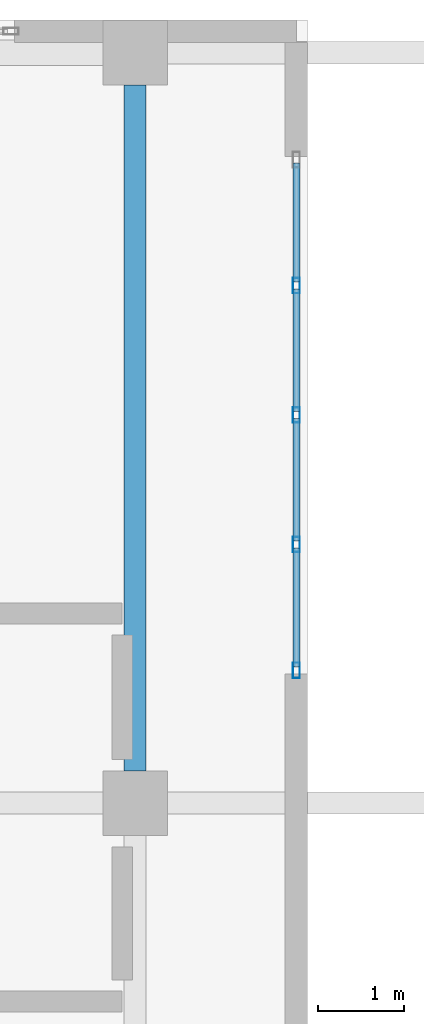
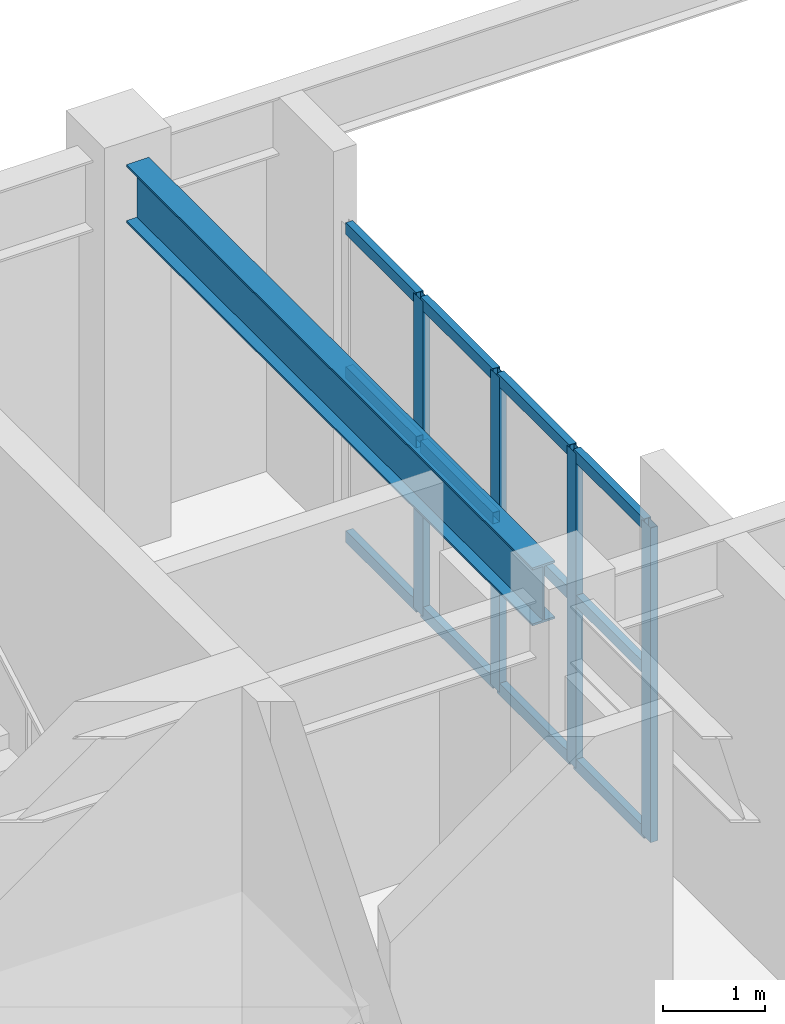
# One storey, part 4 of 11: 16 members, 1 beam, 1 element without a shape of its own.
"""IFC4 building model written with IfcOpenShell, lengths in metres."""

from ifc_helpers import new_model, si_unit, direction, frame, origin, origin_2d, place, context, subcontext, project, spatial, hollow_rectangle, i_section, extrude, material, layer, layer_set, material_profile, profile_set, type_object, element, aggregate, save


model = new_model("IFC4")

# Units and contexts
model_context = context("Model", 3, precision=1e-05, world=origin(), true_north=direction((0.0, 1.0)))
body_context = subcontext(model_context, "Body", "Model", "MODEL_VIEW")
ifc_project = project(units=[si_unit("LENGTHUNIT", "METRE"), si_unit("AREAUNIT", "SQUARE_METRE"), si_unit("VOLUMEUNIT", "CUBIC_METRE"), si_unit("PLANEANGLEUNIT", "RADIAN"), si_unit("MASSUNIT", "GRAM", prefix="KILO")], contexts=[model_context])

# Site, building, storey
site_placement = place(None, origin())
site = spatial("IfcSite", under=ifc_project, at=site_placement, CompositionType="ELEMENT")
building_placement = place(site_placement, origin())
building = spatial("IfcBuilding", under=site, at=building_placement, Name="Solanera Arch Residences", CompositionType="ELEMENT")
storey_placement = place(building_placement, frame((0.0, 0.0, 282.97998046875)))
storey = spatial("IfcBuildingStorey", under=building, at=storey_placement, Name="L81", CompositionType="ELEMENT", Elevation=282.97998046875)

# Curtain wall, members
ifc_material_1 = material(Name="Anodised Aluminium Alloy 6063-T6", Category="aluminium")
ifc_layer = layer(ifc_material_1, 0.179931640625)
ifc_layer_set = layer_set([ifc_layer], Name="Anodised Aluminium Alloy 6063-T6")
curtain_wall_type = type_object("IfcCurtainWallType", Name="CW-6 Split-Top Crown Lantern Curtain Wall", PredefinedType="USERDEFINED", material=ifc_layer_set)
curtain_wall_placement = place(storey_placement, origin())
curtain_wall = element("IfcCurtainWall", 1, at=curtain_wall_placement, inside=storey, type_object=curtain_wall_type, Name="L81 W Crown Cleft Lantern Curtain Wall", ObjectType="CURTAIN_WALL", PredefinedType="USERDEFINED")
ifc_material_2 = material(Name="Anodised Aluminium Alloy 6063-T6", Category="aluminium")
ifc_material_profile_1 = material_profile(ifc_material_2, hollow_rectangle(XDim=0.080078125, YDim=0.179931640625, WallThickness=0.00390625, at=origin_2d()))
ifc_profile_set_1 = profile_set([ifc_material_profile_1], Name="Anodised Aluminium Alloy 6063-T6")
member_type_1 = type_object("IfcMemberType", Name="Curtain Wall Mullion ALU-MUL-80X180", PredefinedType="MULLION", material=ifc_profile_set_1)
member_1_placement = place(storey_placement, frame((22.669921875, 32.239990234375, 0.0), z_axis=(0.0, 0.0, 1.0), x_axis=(-1.0, 0.0, 0.0)))
member_1 = element("IfcMember", 2, at=member_1_placement, type_object=member_type_1, Name="CW-6 mullion 1", PredefinedType="MULLION", context=body_context, shape_type="SweptSolid", body=[
    extrude(hollow_rectangle(XDim=0.080078125, YDim=0.179931640625, WallThickness=0.00390625, at=origin_2d()), origin(), (0.0, 0.0, 1.0), 3.760009765625),
])
member_2_placement = place(storey_placement, frame((22.669921875, 33.699951171875, 0.0), z_axis=(0.0, 0.0, 1.0), x_axis=(-1.0, 0.0, 0.0)))
member_2 = element("IfcMember", 3, at=member_2_placement, type_object=member_type_1, Name="CW-6 mullion 2", PredefinedType="MULLION", context=body_context, shape_type="SweptSolid", body=[
    extrude(hollow_rectangle(XDim=0.080078125, YDim=0.179931640625, WallThickness=0.00390625, at=origin_2d()), origin(), (0.0, 0.0, 1.0), 3.760009765625),
])
member_3_placement = place(storey_placement, frame((22.669921875, 35.199951171875, 0.0), z_axis=(0.0, 0.0, 1.0), x_axis=(-1.0, 0.0, 0.0)))
member_3 = element("IfcMember", 4, at=member_3_placement, type_object=member_type_1, Name="CW-6 mullion 3", PredefinedType="MULLION", context=body_context, shape_type="SweptSolid", body=[
    extrude(hollow_rectangle(XDim=0.080078125, YDim=0.179931640625, WallThickness=0.00390625, at=origin_2d()), origin(), (0.0, 0.0, 1.0), 3.760009765625),
])
member_4_placement = place(storey_placement, frame((22.669921875, 36.699951171875, 0.0), z_axis=(0.0, 0.0, 1.0), x_axis=(-1.0, 0.0, 0.0)))
member_4 = element("IfcMember", 5, at=member_4_placement, type_object=member_type_1, Name="CW-6 mullion 4", PredefinedType="MULLION", context=body_context, shape_type="SweptSolid", body=[
    extrude(hollow_rectangle(XDim=0.080078125, YDim=0.179931640625, WallThickness=0.00390625, at=origin_2d()), origin(), (0.0, 0.0, 1.0), 3.760009765625),
])
ifc_material_3 = material(Name="Anodised Aluminium Alloy 6063-T6", Category="aluminium")
ifc_material_profile_2 = material_profile(ifc_material_3, hollow_rectangle(XDim=0.080078125, YDim=0.139892578125, WallThickness=0.00390625, at=origin_2d()))
ifc_profile_set_2 = profile_set([ifc_material_profile_2], Name="Anodised Aluminium Alloy 6063-T6")
member_type_2 = type_object("IfcMemberType", Name="Curtain Wall Transom ALU-TRN-80X140", PredefinedType="USERDEFINED", material=ifc_profile_set_2)
member_5_placement = place(storey_placement, frame((22.669921875, 32.280029296875, 0.0400390625), z_axis=(0.0, 1.0, 0.0), x_axis=(-1.0, 0.0, 0.0)))
member_5 = element("IfcMember", 6, at=member_5_placement, type_object=member_type_2, Name="CW-6 transom 1.1", ObjectType="TRANSOM", PredefinedType="USERDEFINED", context=body_context, shape_type="SweptSolid", body=[
    extrude(hollow_rectangle(XDim=0.080078125, YDim=0.139892578125, WallThickness=0.00390625, at=origin_2d()), origin(), (0.0, 0.0, 1.0), 1.3798828125),
])
member_6_placement = place(storey_placement, frame((22.669921875, 32.280029296875, 2.0), z_axis=(0.0, 1.0, 0.0), x_axis=(-1.0, 0.0, 0.0)))
member_6 = element("IfcMember", 7, at=member_6_placement, type_object=member_type_2, Name="CW-6 transom 1.2", ObjectType="TRANSOM", PredefinedType="USERDEFINED", context=body_context, shape_type="SweptSolid", body=[
    extrude(hollow_rectangle(XDim=0.080078125, YDim=0.139892578125, WallThickness=0.00390625, at=origin_2d()), origin(), (0.0, 0.0, 1.0), 1.3798828125),
])
member_7_placement = place(storey_placement, frame((22.669921875, 32.280029296875, 3.719970703125), z_axis=(0.0, 1.0, 0.0), x_axis=(-1.0, 0.0, 0.0)))
member_7 = element("IfcMember", 8, at=member_7_placement, type_object=member_type_2, Name="CW-6 transom 1.3", ObjectType="TRANSOM", PredefinedType="USERDEFINED", context=body_context, shape_type="SweptSolid", body=[
    extrude(hollow_rectangle(XDim=0.080078125, YDim=0.139892578125, WallThickness=0.00390625, at=origin_2d()), origin(), (0.0, 0.0, 1.0), 1.3798828125),
])
member_8_placement = place(storey_placement, frame((22.669921875, 33.739990234375, 0.0400390625), z_axis=(0.0, 1.0, 0.0), x_axis=(-1.0, 0.0, 0.0)))
member_8 = element("IfcMember", 9, at=member_8_placement, type_object=member_type_2, Name="CW-6 transom 2.1", ObjectType="TRANSOM", PredefinedType="USERDEFINED", context=body_context, shape_type="SweptSolid", body=[
    extrude(hollow_rectangle(XDim=0.080078125, YDim=0.139892578125, WallThickness=0.00390625, at=origin_2d()), origin(), (0.0, 0.0, 1.0), 1.419921875),
])
member_9_placement = place(storey_placement, frame((22.669921875, 33.739990234375, 2.0), z_axis=(0.0, 1.0, 0.0), x_axis=(-1.0, 0.0, 0.0)))
member_9 = element("IfcMember", 10, at=member_9_placement, type_object=member_type_2, Name="CW-6 transom 2.2", ObjectType="TRANSOM", PredefinedType="USERDEFINED", context=body_context, shape_type="SweptSolid", body=[
    extrude(hollow_rectangle(XDim=0.080078125, YDim=0.139892578125, WallThickness=0.00390625, at=origin_2d()), origin(), (0.0, 0.0, 1.0), 1.419921875),
])
member_10_placement = place(storey_placement, frame((22.669921875, 33.739990234375, 3.719970703125), z_axis=(0.0, 1.0, 0.0), x_axis=(-1.0, 0.0, 0.0)))
member_10 = element("IfcMember", 11, at=member_10_placement, type_object=member_type_2, Name="CW-6 transom 2.3", ObjectType="TRANSOM", PredefinedType="USERDEFINED", context=body_context, shape_type="SweptSolid", body=[
    extrude(hollow_rectangle(XDim=0.080078125, YDim=0.139892578125, WallThickness=0.00390625, at=origin_2d()), origin(), (0.0, 0.0, 1.0), 1.419921875),
])
member_11_placement = place(storey_placement, frame((22.669921875, 35.239990234375, 0.0400390625), z_axis=(0.0, 1.0, 0.0), x_axis=(-1.0, 0.0, 0.0)))
member_11 = element("IfcMember", 12, at=member_11_placement, type_object=member_type_2, Name="CW-6 transom 3.1", ObjectType="TRANSOM", PredefinedType="USERDEFINED", context=body_context, shape_type="SweptSolid", body=[
    extrude(hollow_rectangle(XDim=0.080078125, YDim=0.139892578125, WallThickness=0.00390625, at=origin_2d()), origin(), (0.0, 0.0, 1.0), 1.419921875),
])
member_12_placement = place(storey_placement, frame((22.669921875, 35.239990234375, 2.0), z_axis=(0.0, 1.0, 0.0), x_axis=(-1.0, 0.0, 0.0)))
member_12 = element("IfcMember", 13, at=member_12_placement, type_object=member_type_2, Name="CW-6 transom 3.2", ObjectType="TRANSOM", PredefinedType="USERDEFINED", context=body_context, shape_type="SweptSolid", body=[
    extrude(hollow_rectangle(XDim=0.080078125, YDim=0.139892578125, WallThickness=0.00390625, at=origin_2d()), origin(), (0.0, 0.0, 1.0), 1.419921875),
])
member_13_placement = place(storey_placement, frame((22.669921875, 35.239990234375, 3.719970703125), z_axis=(0.0, 1.0, 0.0), x_axis=(-1.0, 0.0, 0.0)))
member_13 = element("IfcMember", 14, at=member_13_placement, type_object=member_type_2, Name="CW-6 transom 3.3", ObjectType="TRANSOM", PredefinedType="USERDEFINED", context=body_context, shape_type="SweptSolid", body=[
    extrude(hollow_rectangle(XDim=0.080078125, YDim=0.139892578125, WallThickness=0.00390625, at=origin_2d()), origin(), (0.0, 0.0, 1.0), 1.419921875),
])
member_14_placement = place(storey_placement, frame((22.669921875, 36.739990234375, 0.0400390625), z_axis=(0.0, 1.0, 0.0), x_axis=(-1.0, 0.0, 0.0)))
member_14 = element("IfcMember", 15, at=member_14_placement, type_object=member_type_2, Name="CW-6 transom 4.1", ObjectType="TRANSOM", PredefinedType="USERDEFINED", context=body_context, shape_type="SweptSolid", body=[
    extrude(hollow_rectangle(XDim=0.080078125, YDim=0.139892578125, WallThickness=0.00390625, at=origin_2d()), origin(), (0.0, 0.0, 1.0), 1.380126953125),
])
member_15_placement = place(storey_placement, frame((22.669921875, 36.739990234375, 2.0), z_axis=(0.0, 1.0, 0.0), x_axis=(-1.0, 0.0, 0.0)))
member_15 = element("IfcMember", 16, at=member_15_placement, type_object=member_type_2, Name="CW-6 transom 4.2", ObjectType="TRANSOM", PredefinedType="USERDEFINED", context=body_context, shape_type="SweptSolid", body=[
    extrude(hollow_rectangle(XDim=0.080078125, YDim=0.139892578125, WallThickness=0.00390625, at=origin_2d()), origin(), (0.0, 0.0, 1.0), 1.380126953125),
])
member_16_placement = place(storey_placement, frame((22.669921875, 36.739990234375, 3.719970703125), z_axis=(0.0, 1.0, 0.0), x_axis=(-1.0, 0.0, 0.0)))
member_16 = element("IfcMember", 17, at=member_16_placement, type_object=member_type_2, Name="CW-6 transom 4.3", ObjectType="TRANSOM", PredefinedType="USERDEFINED", context=body_context, shape_type="SweptSolid", body=[
    extrude(hollow_rectangle(XDim=0.080078125, YDim=0.139892578125, WallThickness=0.00390625, at=origin_2d()), origin(), (0.0, 0.0, 1.0), 1.380126953125),
])
aggregate(curtain_wall, [member_1, member_2, member_3, member_4, member_5, member_6, member_7, member_8, member_9, member_10, member_11, member_12, member_13, member_14, member_15, member_16])

# Beam
ifc_material_4 = material(Name="Steel S355 (ASTM A992 / A572 Grade 50)", Category="steel")
ifc_material_profile_3 = material_profile(ifc_material_4, i_section(OverallWidth=0.256103515625, OverallDepth=0.693115234375, WebThickness=0.014404296875, FlangeThickness=0.023681640625, at=origin_2d()))
ifc_profile_set_3 = profile_set([ifc_material_profile_3], Name="Steel S355 (ASTM A992 / A572 Grade 50)")
beam_type = type_object("IfcBeamType", Name="Primary Beam W690X170", PredefinedType="BEAM", material=ifc_profile_set_3)
beam_placement = place(storey_placement, frame((20.800048828125, 31.074951171875, 4.27392578125), z_axis=(0.0, 1.0, 0.0), x_axis=(-1.0, 0.0, 0.0)))
element("IfcBeam", 18, at=beam_placement, inside=storey, type_object=beam_type, Name="BM-L81-CR-W4", PredefinedType="BEAM", context=body_context, shape_type="SweptSolid", body=[
    extrude(i_section(OverallWidth=0.256103515625, OverallDepth=0.693115234375, WebThickness=0.014404296875, FlangeThickness=0.023681640625, at=origin_2d()), origin(), (0.0, 0.0, 1.0), 7.949951171875),
])

save(model, "model.ifc")
